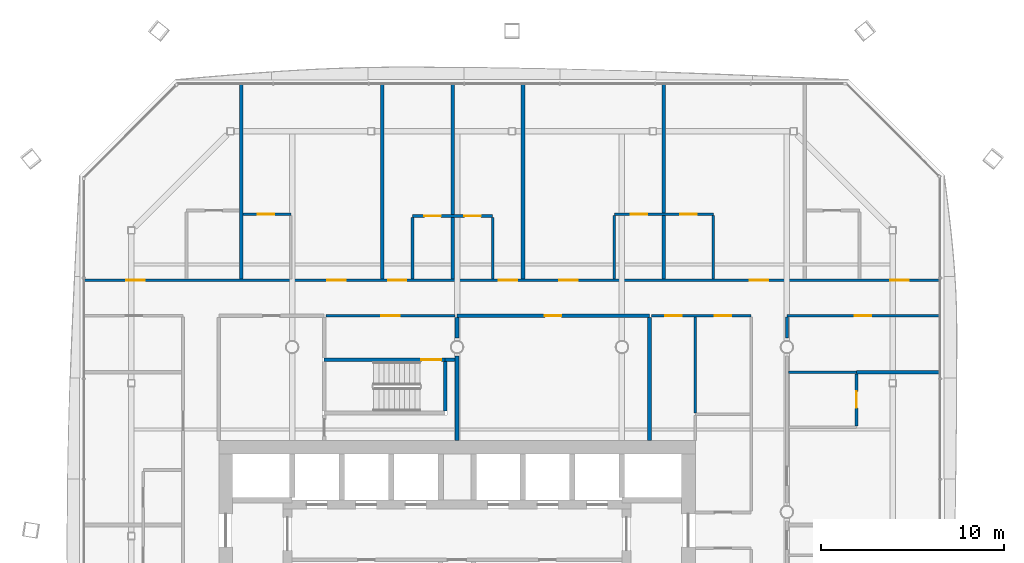
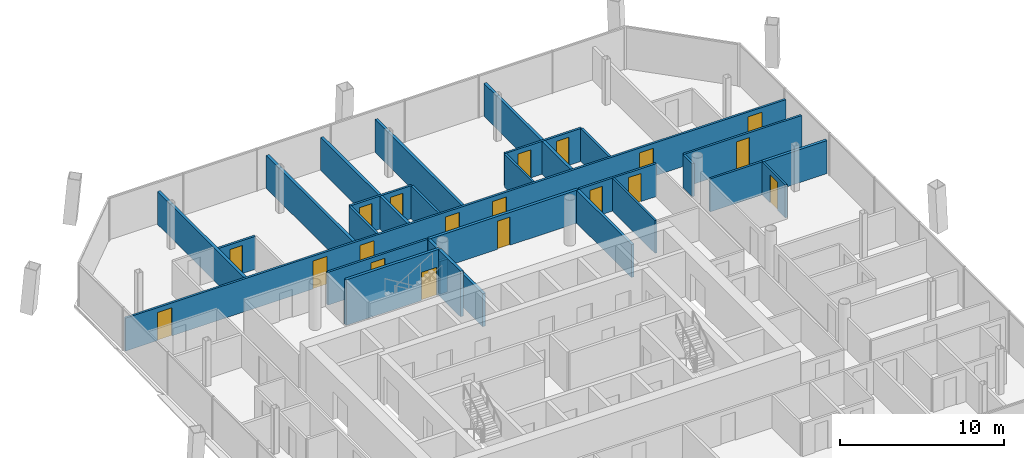
# One storey, part 16 of 22: 28 walls, 19 doors, 19 openings.
"""IFC4 building model written with IfcOpenShell, lengths in metres."""

from ifc_helpers import new_model, si_unit, direction, frame, frame_2d, origin, place, context, subcontext, project, spatial, rectangle, extrude, material, layer, layer_set, type_object, element, fill, save


model = new_model("IFC4")

# Units and contexts
model_context = context("Model", 3, precision=1e-05, world=origin(), true_north=direction((0.0, 1.0)))
body_context = subcontext(model_context, "Body", "Model", "MODEL_VIEW")
ifc_project = project(units=[si_unit("LENGTHUNIT", "METRE"), si_unit("AREAUNIT", "SQUARE_METRE"), si_unit("VOLUMEUNIT", "CUBIC_METRE"), si_unit("PLANEANGLEUNIT", "RADIAN"), si_unit("MASSUNIT", "GRAM", prefix="KILO")], contexts=[model_context])

# Site, building, storey
site_placement = place(None, origin())
site = spatial("IfcSite", under=ifc_project, at=site_placement, CompositionType="ELEMENT")
building_placement = place(site_placement, origin())
building = spatial("IfcBuilding", under=site, at=building_placement, Name="Tskaro Facet Tower", CompositionType="ELEMENT")
storey_placement = place(building_placement, frame((0.0, 0.0, 124.89990234375)))
storey = spatial("IfcBuildingStorey", under=building, at=storey_placement, Name="L29", CompositionType="ELEMENT", Elevation=124.89990234375)

# Walls
ifc_material_1 = material(Name="Gypsum board on steel studs", Category="steel")
ifc_layer_1 = layer(ifc_material_1, 0.125, Name="Gypsum board on steel studs")
ifc_layer_set_1 = layer_set([ifc_layer_1], Name="Gypsum board on steel studs")
wall_type_1 = type_object("IfcWallType", Name="PART", PredefinedType="PARTITIONING", material=ifc_layer_set_1)
wall_1_placement = place(storey_placement, frame((13.0, 5.412109375, 0.0), z_axis=(0.0, 0.0, 1.0), x_axis=(0.0, 1.0, 0.0)))
element("IfcWall", 1, at=wall_1_placement, inside=storey, type_object=wall_type_1, Name="Partition W101", PredefinedType="PARTITIONING", context=body_context, shape_type="SweptSolid", body=[
    extrude(rectangle(XDim=5.212890625, YDim=0.125, at=frame_2d((2.6064453125, 0.0))), origin(), (0.0, 0.0, 1.0), 2.460205078125),
])
ifc_layer_2 = layer(ifc_material_1, 0.14990234375, Name="Gypsum board on steel studs")
ifc_layer_set_2 = layer_set([ifc_layer_2], Name="Gypsum board on steel studs")
wall_type_2 = type_object("IfcWallType", Name="PART-CORR", PredefinedType="PARTITIONING", material=ifc_layer_set_2)
wall_2_placement = place(storey_placement, frame((18.074951171875, 7.6259765625, 0.0), z_axis=(0.0, 0.0, 1.0), x_axis=(1.0, 0.0, 0.0)))
element("IfcWall", 2, at=wall_2_placement, inside=storey, type_object=wall_type_2, Name="Corridor wall W039", PredefinedType="PARTITIONING", context=body_context, shape_type="SweptSolid", body=[
    extrude(rectangle(XDim=3.72509765625, YDim=0.14990234375, at=frame_2d((1.862548828125, 0.0))), origin(), (0.0, 0.0, 1.0), 2.460205078125),
])

# Wall, opening, door
wall_3_placement = place(storey_placement, frame((-0.10009765625, 10.699951171875, 0.0), z_axis=(0.0, 0.0, 1.0), x_axis=(-1.0, 0.0, 0.0)))
wall_3 = element("IfcWall", 3, at=wall_3_placement, inside=storey, type_object=wall_type_2, Name="Corridor wall W045", PredefinedType="PARTITIONING", context=body_context, shape_type="SweptSolid", body=[
    extrude(rectangle(XDim=7.0498046875, YDim=0.14990234375, at=frame_2d((3.52490234375, 0.0))), origin(), (0.0, 0.0, 1.0), 2.460205078125),
])
opening_1_placement = place(wall_3_placement, frame((3.02490234375, 0.0, 0.0)))
opening_1 = element("IfcOpeningElement", 4, at=opening_1_placement, cuts=wall_3, Name="Opening T8-D45", PredefinedType="OPENING", context=body_context, shape_type="SweptSolid", body=[
    extrude(rectangle(XDim=1.0, YDim=2.10009765625, at=frame_2d((0.5, 1.050048828125))), frame((0.0, 0.0849609375, 0.0), z_axis=(0.0, -1.0, 0.0), x_axis=(1.0, 0.0, 0.0)), (0.0, 0.0, 1.0), 0.169921875),
])
ifc_material_2 = material(Name="Steel", Category="steel")
door_type_1 = type_object("IfcDoorType", Name="D-LOBBY", OperationType="NOTDEFINED", PredefinedType="DOOR", material=ifc_material_2)
door_1_placement = place(opening_1_placement, origin())
door_1 = element("IfcDoor", 5, at=door_1_placement, inside=storey, type_object=door_type_1, Name="Stair lobby door", OperationType="SINGLE_SWING_RIGHT", OverallHeight=2.10009765625, OverallWidth=1.0, PredefinedType="DOOR", context=body_context, shape_type="SweptSolid", body=[
    extrude(rectangle(XDim=1.0, YDim=2.10009765625, at=frame_2d((0.5, 1.050048828125))), frame((0.0, 0.02490234375, 0.0), z_axis=(0.0, -1.0, 0.0), x_axis=(1.0, 0.0, 0.0)), (0.0, 0.0, 1.0), 0.050048828125),
])
fill(opening_1, door_1)

# Wall, openings, doors
wall_4_placement = place(storey_placement, frame((16.050048828125, 10.699951171875, 0.0), z_axis=(0.0, 0.0, 1.0), x_axis=(-1.0, 0.0, 0.0)))
wall_4 = element("IfcWall", 6, at=wall_4_placement, inside=storey, type_object=wall_type_2, Name="Corridor wall W047", PredefinedType="PARTITIONING", context=body_context, shape_type="SweptSolid", body=[
    extrude(rectangle(XDim=5.449951171875, YDim=0.14990234375, at=frame_2d((2.72509765625, 0.0))), origin(), (0.0, 0.0, 1.0), 2.460205078125),
])
opening_2_placement = place(wall_4_placement, frame((3.800048828125, 0.0, 0.0)))
opening_2 = element("IfcOpeningElement", 7, at=opening_2_placement, cuts=wall_4, Name="Opening T8-D47", PredefinedType="OPENING", context=body_context, shape_type="SweptSolid", body=[
    extrude(rectangle(XDim=0.89990234375, YDim=2.10009765625, at=frame_2d((0.449951171875, 1.050048828125))), frame((0.0, 0.0849609375, 0.0), z_axis=(0.0, -1.0, 0.0), x_axis=(1.0, 0.0, 0.0)), (0.0, 0.0, 1.0), 0.169921875),
])
opening_3_placement = place(wall_4_placement, frame((1.074951171875, 0.0, 0.0)))
opening_3 = element("IfcOpeningElement", 8, at=opening_3_placement, cuts=wall_4, Name="Opening T8-D48", PredefinedType="OPENING", context=body_context, shape_type="SweptSolid", body=[
    extrude(rectangle(XDim=0.89990234375, YDim=2.10009765625, at=frame_2d((0.449951171875, 1.050048828125))), frame((0.0, 0.0849609375, 0.0), z_axis=(0.0, -1.0, 0.0), x_axis=(1.0, 0.0, 0.0)), (0.0, 0.0, 1.0), 0.169921875),
])
ifc_material_3 = material(Name="Timber", Category="wood")
door_type_2 = type_object("IfcDoorType", Name="D-ROOM", OperationType="NOTDEFINED", PredefinedType="DOOR", material=ifc_material_3)
door_2_placement = place(opening_2_placement, origin())
door_2 = element("IfcDoor", 9, at=door_2_placement, inside=storey, type_object=door_type_2, Name="Door T8-D47", OperationType="SINGLE_SWING_RIGHT", OverallHeight=2.10009765625, OverallWidth=0.89990234375, PredefinedType="DOOR", context=body_context, shape_type="SweptSolid", body=[
    extrude(rectangle(XDim=0.89990234375, YDim=2.10009765625, at=frame_2d((0.449951171875, 1.050048828125))), frame((0.0, 0.02490234375, 0.0), z_axis=(0.0, -1.0, 0.0), x_axis=(1.0, 0.0, 0.0)), (0.0, 0.0, 1.0), 0.050048828125),
])
fill(opening_2, door_2)
door_3_placement = place(opening_3_placement, origin())
door_3 = element("IfcDoor", 10, at=door_3_placement, inside=storey, type_object=door_type_2, Name="Door T8-D48", OperationType="SINGLE_SWING_RIGHT", OverallHeight=2.10009765625, OverallWidth=0.89990234375, PredefinedType="DOOR", context=body_context, shape_type="SweptSolid", body=[
    extrude(rectangle(XDim=0.89990234375, YDim=2.10009765625, at=frame_2d((0.449951171875, 1.050048828125))), frame((0.0, 0.02490234375, 0.0), z_axis=(0.0, -1.0, 0.0), x_axis=(1.0, 0.0, 0.0)), (0.0, 0.0, 1.0), 0.050048828125),
])
fill(opening_3, door_3)

# Wall, opening, door
wall_5_placement = place(storey_placement, frame((26.31689453125, 10.699951171875, 0.0), z_axis=(0.0, 0.0, 1.0), x_axis=(-1.0, 0.0, 0.0)))
wall_5 = element("IfcWall", 11, at=wall_5_placement, inside=storey, type_object=wall_type_2, Name="Corridor wall W048", PredefinedType="PARTITIONING", context=body_context, shape_type="SweptSolid", body=[
    extrude(rectangle(XDim=8.31689453125, YDim=0.14990234375, at=frame_2d((4.158447265625, 0.0))), origin(), (0.0, 0.0, 1.0), 2.460205078125),
])
opening_4_placement = place(wall_5_placement, frame((3.70849609375, 0.0, 0.0)))
opening_4 = element("IfcOpeningElement", 12, at=opening_4_placement, cuts=wall_5, Name="Opening T8-D49", PredefinedType="OPENING", context=body_context, shape_type="SweptSolid", body=[
    extrude(rectangle(XDim=0.89990234375, YDim=2.10009765625, at=frame_2d((0.449951171875, 1.050048828125))), frame((0.0, 0.0849609375, 0.0), z_axis=(0.0, -1.0, 0.0), x_axis=(1.0, 0.0, 0.0)), (0.0, 0.0, 1.0), 0.169921875),
])
door_4_placement = place(opening_4_placement, origin())
door_4 = element("IfcDoor", 13, at=door_4_placement, inside=storey, type_object=door_type_2, Name="Door T8-D49", OperationType="SINGLE_SWING_RIGHT", OverallHeight=2.10009765625, OverallWidth=0.89990234375, PredefinedType="DOOR", context=body_context, shape_type="SweptSolid", body=[
    extrude(rectangle(XDim=0.89990234375, YDim=2.10009765625, at=frame_2d((0.449951171875, 1.050048828125))), frame((0.0, 0.02490234375, 0.0), z_axis=(0.0, -1.0, 0.0), x_axis=(1.0, 0.0, 0.0)), (0.0, 0.0, 1.0), 0.050048828125),
])
fill(opening_4, door_4)

# Wall, openings, doors
wall_6_placement = place(storey_placement, frame((-20.31689453125, 12.64990234375, 0.0), z_axis=(0.0, 0.0, 1.0), x_axis=(1.0, 0.0, 0.0)))
wall_6 = element("IfcWall", 14, at=wall_6_placement, inside=storey, type_object=wall_type_2, Name="Corridor wall W049", PredefinedType="PARTITIONING", context=body_context, shape_type="SweptSolid", body=[
    extrude(rectangle(XDim=46.6337890625, YDim=0.14990234375, at=frame_2d((23.31689453125, 0.0))), origin(), (0.0, 0.0, 1.0), 2.460205078125),
])
opening_5_placement = place(wall_6_placement, frame((2.2744140625, 0.0, 0.0)))
opening_5 = element("IfcOpeningElement", 15, at=opening_5_placement, cuts=wall_6, Name="Opening T8-D50", PredefinedType="OPENING", context=body_context, shape_type="SweptSolid", body=[
    extrude(rectangle(XDim=1.0, YDim=2.10009765625, at=frame_2d((0.5, 1.050048828125))), frame((0.0, 0.0849609375, 0.0), z_axis=(0.0, -1.0, 0.0), x_axis=(1.0, 0.0, 0.0)), (0.0, 0.0, 1.0), 0.169921875),
])
opening_6_placement = place(wall_6_placement, frame((13.240966796875, 0.0, 0.0)))
opening_6 = element("IfcOpeningElement", 16, at=opening_6_placement, cuts=wall_6, Name="Opening T8-D51", PredefinedType="OPENING", context=body_context, shape_type="SweptSolid", body=[
    extrude(rectangle(XDim=1.0, YDim=2.10009765625, at=frame_2d((0.5, 1.050048828125))), frame((0.0, 0.0849609375, 0.0), z_axis=(0.0, -1.0, 0.0), x_axis=(1.0, 0.0, 0.0)), (0.0, 0.0, 1.0), 0.169921875),
])
opening_7_placement = place(wall_6_placement, frame((16.55908203125, 0.0, 0.0)))
opening_7 = element("IfcOpeningElement", 17, at=opening_7_placement, cuts=wall_6, Name="Opening T8-D52", PredefinedType="OPENING", context=body_context, shape_type="SweptSolid", body=[
    extrude(rectangle(XDim=1.0, YDim=2.10009765625, at=frame_2d((0.5, 1.050048828125))), frame((0.0, 0.0849609375, 0.0), z_axis=(0.0, -1.0, 0.0), x_axis=(1.0, 0.0, 0.0)), (0.0, 0.0, 1.0), 0.169921875),
])
opening_8_placement = place(wall_6_placement, frame((22.591064453125, 0.0, 0.0)))
opening_8 = element("IfcOpeningElement", 18, at=opening_8_placement, cuts=wall_6, Name="Opening T8-D53", PredefinedType="OPENING", context=body_context, shape_type="SweptSolid", body=[
    extrude(rectangle(XDim=1.0, YDim=2.10009765625, at=frame_2d((0.5, 1.050048828125))), frame((0.0, 0.0849609375, 0.0), z_axis=(0.0, -1.0, 0.0), x_axis=(1.0, 0.0, 0.0)), (0.0, 0.0, 1.0), 0.169921875),
])
opening_9_placement = place(wall_6_placement, frame((25.908935546875, 0.0, 0.0)))
opening_9 = element("IfcOpeningElement", 19, at=opening_9_placement, cuts=wall_6, Name="Opening T8-D54", PredefinedType="OPENING", context=body_context, shape_type="SweptSolid", body=[
    extrude(rectangle(XDim=1.0, YDim=2.10009765625, at=frame_2d((0.5, 1.050048828125))), frame((0.0, 0.0849609375, 0.0), z_axis=(0.0, -1.0, 0.0), x_axis=(1.0, 0.0, 0.0)), (0.0, 0.0, 1.0), 0.169921875),
])
opening_10_placement = place(wall_6_placement, frame((36.29296875, 0.0, 0.0)))
opening_10 = element("IfcOpeningElement", 20, at=opening_10_placement, cuts=wall_6, Name="Opening T8-D55", PredefinedType="OPENING", context=body_context, shape_type="SweptSolid", body=[
    extrude(rectangle(XDim=1.0, YDim=2.10009765625, at=frame_2d((0.5, 1.050048828125))), frame((0.0, 0.0849609375, 0.0), z_axis=(0.0, -1.0, 0.0), x_axis=(1.0, 0.0, 0.0)), (0.0, 0.0, 1.0), 0.169921875),
])
opening_11_placement = place(wall_6_placement, frame((43.95947265625, 0.0, 0.0)))
opening_11 = element("IfcOpeningElement", 21, at=opening_11_placement, cuts=wall_6, Name="Opening T8-D56", PredefinedType="OPENING", context=body_context, shape_type="SweptSolid", body=[
    extrude(rectangle(XDim=1.0, YDim=2.10009765625, at=frame_2d((0.5, 1.050048828125))), frame((0.0, 0.0849609375, 0.0), z_axis=(0.0, -1.0, 0.0), x_axis=(1.0, 0.0, 0.0)), (0.0, 0.0, 1.0), 0.169921875),
])
door_type_3 = type_object("IfcDoorType", Name="D-ENTRY", OperationType="NOTDEFINED", PredefinedType="DOOR", material=ifc_material_3)
door_5_placement = place(opening_5_placement, origin())
door_5 = element("IfcDoor", 22, at=door_5_placement, inside=storey, type_object=door_type_3, Name="Door T8-D50", OperationType="SINGLE_SWING_RIGHT", OverallHeight=2.10009765625, OverallWidth=1.0, PredefinedType="DOOR", context=body_context, shape_type="SweptSolid", body=[
    extrude(rectangle(XDim=1.0, YDim=2.10009765625, at=frame_2d((0.5, 1.050048828125))), frame((0.0, 0.02490234375, 0.0), z_axis=(0.0, -1.0, 0.0), x_axis=(1.0, 0.0, 0.0)), (0.0, 0.0, 1.0), 0.050048828125),
])
fill(opening_5, door_5)
door_6_placement = place(opening_6_placement, origin())
door_6 = element("IfcDoor", 23, at=door_6_placement, inside=storey, type_object=door_type_3, Name="Door T8-D51", OperationType="SINGLE_SWING_LEFT", OverallHeight=2.10009765625, OverallWidth=1.0, PredefinedType="DOOR", context=body_context, shape_type="SweptSolid", body=[
    extrude(rectangle(XDim=1.0, YDim=2.10009765625, at=frame_2d((0.5, 1.050048828125))), frame((0.0, 0.02490234375, 0.0), z_axis=(0.0, -1.0, 0.0), x_axis=(1.0, 0.0, 0.0)), (0.0, 0.0, 1.0), 0.050048828125),
])
fill(opening_6, door_6)
door_7_placement = place(opening_7_placement, origin())
door_7 = element("IfcDoor", 24, at=door_7_placement, inside=storey, type_object=door_type_3, Name="Door T8-D52", OperationType="SINGLE_SWING_LEFT", OverallHeight=2.10009765625, OverallWidth=1.0, PredefinedType="DOOR", context=body_context, shape_type="SweptSolid", body=[
    extrude(rectangle(XDim=1.0, YDim=2.10009765625, at=frame_2d((0.5, 1.050048828125))), frame((0.0, 0.02490234375, 0.0), z_axis=(0.0, -1.0, 0.0), x_axis=(1.0, 0.0, 0.0)), (0.0, 0.0, 1.0), 0.050048828125),
])
fill(opening_7, door_7)
door_8_placement = place(opening_8_placement, origin())
door_8 = element("IfcDoor", 25, at=door_8_placement, inside=storey, type_object=door_type_3, Name="Door T8-D53", OperationType="SINGLE_SWING_RIGHT", OverallHeight=2.10009765625, OverallWidth=1.0, PredefinedType="DOOR", context=body_context, shape_type="SweptSolid", body=[
    extrude(rectangle(XDim=1.0, YDim=2.10009765625, at=frame_2d((0.5, 1.050048828125))), frame((0.0, 0.02490234375, 0.0), z_axis=(0.0, -1.0, 0.0), x_axis=(1.0, 0.0, 0.0)), (0.0, 0.0, 1.0), 0.050048828125),
])
fill(opening_8, door_8)
door_9_placement = place(opening_9_placement, origin())
door_9 = element("IfcDoor", 26, at=door_9_placement, inside=storey, type_object=door_type_3, Name="Door T8-D54", OperationType="SINGLE_SWING_RIGHT", OverallHeight=2.10009765625, OverallWidth=1.0, PredefinedType="DOOR", context=body_context, shape_type="SweptSolid", body=[
    extrude(rectangle(XDim=1.0, YDim=2.10009765625, at=frame_2d((0.5, 1.050048828125))), frame((0.0, 0.02490234375, 0.0), z_axis=(0.0, -1.0, 0.0), x_axis=(1.0, 0.0, 0.0)), (0.0, 0.0, 1.0), 0.050048828125),
])
fill(opening_9, door_9)
door_10_placement = place(opening_10_placement, origin())
door_10 = element("IfcDoor", 27, at=door_10_placement, inside=storey, type_object=door_type_3, Name="Door T8-D55", OperationType="SINGLE_SWING_LEFT", OverallHeight=2.10009765625, OverallWidth=1.0, PredefinedType="DOOR", context=body_context, shape_type="SweptSolid", body=[
    extrude(rectangle(XDim=1.0, YDim=2.10009765625, at=frame_2d((0.5, 1.050048828125))), frame((0.0, 0.02490234375, 0.0), z_axis=(0.0, -1.0, 0.0), x_axis=(1.0, 0.0, 0.0)), (0.0, 0.0, 1.0), 0.050048828125),
])
fill(opening_10, door_10)
door_11_placement = place(opening_11_placement, origin())
door_11 = element("IfcDoor", 28, at=door_11_placement, inside=storey, type_object=door_type_3, Name="Door T8-D56", OperationType="SINGLE_SWING_RIGHT", OverallHeight=2.10009765625, OverallWidth=1.0, PredefinedType="DOOR", context=body_context, shape_type="SweptSolid", body=[
    extrude(rectangle(XDim=1.0, YDim=2.10009765625, at=frame_2d((0.5, 1.050048828125))), frame((0.0, 0.02490234375, 0.0), z_axis=(0.0, -1.0, 0.0), x_axis=(1.0, 0.0, 0.0)), (0.0, 0.0, 1.0), 0.050048828125),
])
fill(opening_11, door_11)

wall_7_placement = place(storey_placement, frame((1.947998046875, 16.14990234375, 0.0), z_axis=(0.0, 0.0, 1.0), x_axis=(-1.0, 0.0, 0.0)))
wall_7 = element("IfcWall", 29, at=wall_7_placement, inside=storey, type_object=wall_type_2, Name="Corridor wall W050", PredefinedType="PARTITIONING", context=body_context, shape_type="SweptSolid", body=[
    extrude(rectangle(XDim=4.3798828125, YDim=0.14990234375, at=frame_2d((2.18994140625, 0.0))), origin(), (0.0, 0.0, 1.0), 2.460205078125),
])
opening_12_placement = place(wall_7_placement, frame((2.8349609375, 0.0, 0.0)))
opening_12 = element("IfcOpeningElement", 30, at=opening_12_placement, cuts=wall_7, Name="Opening T8-D57", PredefinedType="OPENING", context=body_context, shape_type="SweptSolid", body=[
    extrude(rectangle(XDim=0.89990234375, YDim=2.10009765625, at=frame_2d((0.449951171875, 1.050048828125))), frame((0.0, 0.0849609375, 0.0), z_axis=(0.0, -1.0, 0.0), x_axis=(1.0, 0.0, 0.0)), (0.0, 0.0, 1.0), 0.169921875),
])
opening_13_placement = place(wall_7_placement, frame((0.64501953125, 0.0, 0.0)))
opening_13 = element("IfcOpeningElement", 31, at=opening_13_placement, cuts=wall_7, Name="Opening T8-D58", PredefinedType="OPENING", context=body_context, shape_type="SweptSolid", body=[
    extrude(rectangle(XDim=0.89990234375, YDim=2.10009765625, at=frame_2d((0.449951171875, 1.050048828125))), frame((0.0, 0.0849609375, 0.0), z_axis=(0.0, -1.0, 0.0), x_axis=(1.0, 0.0, 0.0)), (0.0, 0.0, 1.0), 0.169921875),
])
door_12_placement = place(opening_12_placement, origin())
door_12 = element("IfcDoor", 32, at=door_12_placement, inside=storey, type_object=door_type_2, Name="Door T8-D57", OperationType="SINGLE_SWING_RIGHT", OverallHeight=2.10009765625, OverallWidth=0.89990234375, PredefinedType="DOOR", context=body_context, shape_type="SweptSolid", body=[
    extrude(rectangle(XDim=0.89990234375, YDim=2.10009765625, at=frame_2d((0.449951171875, 1.050048828125))), frame((0.0, 0.02490234375, 0.0), z_axis=(0.0, -1.0, 0.0), x_axis=(1.0, 0.0, 0.0)), (0.0, 0.0, 1.0), 0.050048828125),
])
fill(opening_12, door_12)
door_13_placement = place(opening_13_placement, origin())
door_13 = element("IfcDoor", 33, at=door_13_placement, inside=storey, type_object=door_type_2, Name="Door T8-D58", OperationType="SINGLE_SWING_RIGHT", OverallHeight=2.10009765625, OverallWidth=0.89990234375, PredefinedType="DOOR", context=body_context, shape_type="SweptSolid", body=[
    extrude(rectangle(XDim=0.89990234375, YDim=2.10009765625, at=frame_2d((0.449951171875, 1.050048828125))), frame((0.0, 0.02490234375, 0.0), z_axis=(0.0, -1.0, 0.0), x_axis=(1.0, 0.0, 0.0)), (0.0, 0.0, 1.0), 0.050048828125),
])
fill(opening_13, door_13)

# Wall, opening, door
wall_8_placement = place(storey_placement, frame((-9.068115234375, 16.25, 0.0), z_axis=(0.0, 0.0, 1.0), x_axis=(-1.0, 0.0, 0.0)))
wall_8 = element("IfcWall", 34, at=wall_8_placement, inside=storey, type_object=wall_type_2, Name="Corridor wall W051", PredefinedType="PARTITIONING", context=body_context, shape_type="SweptSolid", body=[
    extrude(rectangle(XDim=2.599853515625, YDim=0.14990234375, at=frame_2d((1.2998046875, 0.0))), origin(), (0.0, 0.0, 1.0), 2.460205078125),
])
opening_14_placement = place(wall_8_placement, frame((0.89990234375, 0.0, 0.0)))
opening_14 = element("IfcOpeningElement", 35, at=opening_14_placement, cuts=wall_8, Name="Opening T8-D59", PredefinedType="OPENING", context=body_context, shape_type="SweptSolid", body=[
    extrude(rectangle(XDim=0.89990234375, YDim=2.10009765625, at=frame_2d((0.449951171875, 1.050048828125))), frame((0.0, 0.0849609375, 0.0), z_axis=(0.0, -1.0, 0.0), x_axis=(1.0, 0.0, 0.0)), (0.0, 0.0, 1.0), 0.169921875),
])
door_14_placement = place(opening_14_placement, origin())
door_14 = element("IfcDoor", 36, at=door_14_placement, inside=storey, type_object=door_type_2, Name="Door T8-D59", OperationType="SINGLE_SWING_RIGHT", OverallHeight=2.10009765625, OverallWidth=0.89990234375, PredefinedType="DOOR", context=body_context, shape_type="SweptSolid", body=[
    extrude(rectangle(XDim=0.89990234375, YDim=2.10009765625, at=frame_2d((0.449951171875, 1.050048828125))), frame((0.0, 0.02490234375, 0.0), z_axis=(0.0, -1.0, 0.0), x_axis=(1.0, 0.0, 0.0)), (0.0, 0.0, 1.0), 0.050048828125),
])
fill(opening_14, door_14)

# Wall, openings, doors
wall_9_placement = place(storey_placement, frame((13.98388671875, 16.25, 0.0), z_axis=(0.0, 0.0, 1.0), x_axis=(-1.0, 0.0, 0.0)))
wall_9 = element("IfcWall", 37, at=wall_9_placement, inside=storey, type_object=wall_type_2, Name="Corridor wall W052", PredefinedType="PARTITIONING", context=body_context, shape_type="SweptSolid", body=[
    extrude(rectangle(XDim=5.39990234375, YDim=0.14990234375, at=frame_2d((2.699951171875, 0.0))), origin(), (0.0, 0.0, 1.0), 2.460205078125),
])
opening_15_placement = place(wall_9_placement, frame((3.60009765625, 0.0, 0.0)))
opening_15 = element("IfcOpeningElement", 38, at=opening_15_placement, cuts=wall_9, Name="Opening T8-D60", PredefinedType="OPENING", context=body_context, shape_type="SweptSolid", body=[
    extrude(rectangle(XDim=0.89990234375, YDim=2.10009765625, at=frame_2d((0.449951171875, 1.050048828125))), frame((0.0, 0.0849609375, 0.0), z_axis=(0.0, -1.0, 0.0), x_axis=(1.0, 0.0, 0.0)), (0.0, 0.0, 1.0), 0.169921875),
])
opening_16_placement = place(wall_9_placement, frame((0.89990234375, 0.0, 0.0)))
opening_16 = element("IfcOpeningElement", 39, at=opening_16_placement, cuts=wall_9, Name="Opening T8-D61", PredefinedType="OPENING", context=body_context, shape_type="SweptSolid", body=[
    extrude(rectangle(XDim=0.89990234375, YDim=2.10009765625, at=frame_2d((0.449951171875, 1.050048828125))), frame((0.0, 0.0849609375, 0.0), z_axis=(0.0, -1.0, 0.0), x_axis=(1.0, 0.0, 0.0)), (0.0, 0.0, 1.0), 0.169921875),
])
door_15_placement = place(opening_15_placement, origin())
door_15 = element("IfcDoor", 40, at=door_15_placement, inside=storey, type_object=door_type_2, Name="Door T8-D60", OperationType="SINGLE_SWING_RIGHT", OverallHeight=2.10009765625, OverallWidth=0.89990234375, PredefinedType="DOOR", context=body_context, shape_type="SweptSolid", body=[
    extrude(rectangle(XDim=0.89990234375, YDim=2.10009765625, at=frame_2d((0.449951171875, 1.050048828125))), frame((0.0, 0.02490234375, 0.0), z_axis=(0.0, -1.0, 0.0), x_axis=(1.0, 0.0, 0.0)), (0.0, 0.0, 1.0), 0.050048828125),
])
fill(opening_15, door_15)
door_16_placement = place(opening_16_placement, origin())
door_16 = element("IfcDoor", 41, at=door_16_placement, inside=storey, type_object=door_type_2, Name="Door T8-D61", OperationType="SINGLE_SWING_RIGHT", OverallHeight=2.10009765625, OverallWidth=0.89990234375, PredefinedType="DOOR", context=body_context, shape_type="SweptSolid", body=[
    extrude(rectangle(XDim=0.89990234375, YDim=2.10009765625, at=frame_2d((0.449951171875, 1.050048828125))), frame((0.0, 0.02490234375, 0.0), z_axis=(0.0, -1.0, 0.0), x_axis=(1.0, 0.0, 0.0)), (0.0, 0.0, 1.0), 0.050048828125),
])
fill(opening_16, door_16)

# Walls
for number, where, z_axis, x_axis, name in (
    (42, (-2.431884765625, 12.72509765625, 0.0), (0.0, 0.0, 1.0), (0.0, 1.0, 0.0), "Corridor wall W077"),
    (43, (1.947998046875, 12.72509765625, 0.0), (0.0, 0.0, 1.0), (0.0, 1.0, 0.0), "Corridor wall W087"),
):
    element("IfcWall", number, at=place(storey_placement, frame(where, z_axis=z_axis, x_axis=x_axis)), inside=storey, type_object=wall_type_2, Name=name, PredefinedType="PARTITIONING", context=body_context, shape_type="SweptSolid", body=[
        extrude(rectangle(XDim=3.349853515625, YDim=0.14990234375, at=frame_2d((1.6748046875, 0.0))), origin(), (0.0, 0.0, 1.0), 2.460205078125),
    ])
for number, where, z_axis, x_axis, name in (
    (44, (8.583984375, 12.72509765625, 0.0), (0.0, 0.0, 1.0), (0.0, 1.0, 0.0), "Corridor wall W094"),
    (45, (13.98388671875, 12.72509765625, 0.0), (0.0, 0.0, 1.0), (0.0, 1.0, 0.0), "Corridor wall W102"),
):
    element("IfcWall", number, at=place(storey_placement, frame(where, z_axis=z_axis, x_axis=x_axis)), inside=storey, type_object=wall_type_2, Name=name, PredefinedType="PARTITIONING", context=body_context, shape_type="SweptSolid", body=[
        extrude(rectangle(XDim=3.449951171875, YDim=0.14990234375, at=frame_2d((1.72509765625, 0.0))), origin(), (0.0, 0.0, 1.0), 2.460205078125),
    ])
wall_10_placement = place(storey_placement, frame((18.0, 9.5, 0.0), z_axis=(0.0, 0.0, 1.0), x_axis=(0.0, 1.0, 0.0)))
element("IfcWall", 46, at=wall_10_placement, inside=storey, type_object=wall_type_2, Name="Corridor wall W110", PredefinedType="PARTITIONING", context=body_context, shape_type="SweptSolid", body=[
    extrude(rectangle(XDim=1.125, YDim=0.14990234375, at=frame_2d((0.5625, 0.0))), origin(), (0.0, 0.0, 1.0), 2.460205078125),
])

# Wall, opening, door
wall_11_placement = place(storey_placement, frame((21.800048828125, 4.700927734375, 0.0), z_axis=(0.0, 0.0, 1.0), x_axis=(0.0, 1.0, 0.0)))
wall_11 = element("IfcWall", 47, at=wall_11_placement, inside=storey, type_object=wall_type_2, Name="Corridor wall W115", PredefinedType="PARTITIONING", context=body_context, shape_type="SweptSolid", body=[
    extrude(rectangle(XDim=2.824951171875, YDim=0.14990234375, at=frame_2d((1.41259765625, 0.0))), origin(), (0.0, 0.0, 1.0), 2.460205078125),
])
opening_17_placement = place(wall_11_placement, frame((0.97509765625, 0.0, 0.0)))
opening_17 = element("IfcOpeningElement", 48, at=opening_17_placement, cuts=wall_11, Name="Opening T8-D42", PredefinedType="OPENING", context=body_context, shape_type="SweptSolid", body=[
    extrude(rectangle(XDim=0.89990234375, YDim=2.10009765625, at=frame_2d((0.449951171875, 1.050048828125))), frame((0.0, 0.0849609375, 0.0), z_axis=(0.0, -1.0, 0.0), x_axis=(1.0, 0.0, 0.0)), (0.0, 0.0, 1.0), 0.169921875),
])
door_17_placement = place(opening_17_placement, origin())
door_17 = element("IfcDoor", 49, at=door_17_placement, inside=storey, type_object=door_type_2, Name="Door T8-D42", OperationType="SINGLE_SWING_LEFT", OverallHeight=2.10009765625, OverallWidth=0.89990234375, PredefinedType="DOOR", context=body_context, shape_type="SweptSolid", body=[
    extrude(rectangle(XDim=0.89990234375, YDim=2.10009765625, at=frame_2d((0.449951171875, 1.050048828125))), frame((0.0, 0.02490234375, 0.0), z_axis=(0.0, -1.0, 0.0), x_axis=(1.0, 0.0, 0.0)), (0.0, 0.0, 1.0), 0.050048828125),
])
fill(opening_17, door_17)

# Walls
ifc_layer_3 = layer(ifc_material_1, 0.199951171875, Name="Gypsum board on steel studs")
ifc_layer_set_3 = layer_set([ifc_layer_3], Name="Gypsum board on steel studs")
wall_type_3 = type_object("IfcWallType", Name="PART-DEMISING", PredefinedType="PARTITIONING", material=ifc_layer_set_3)
wall_12_placement = place(storey_placement, frame((21.800048828125, 7.6259765625, 0.0), z_axis=(0.0, 0.0, 1.0), x_axis=(1.0, 0.0, 0.0)))
element("IfcWall", 50, at=wall_12_placement, inside=storey, type_object=wall_type_3, Name="Guest room wall W040", PredefinedType="PARTITIONING", context=body_context, shape_type="SweptSolid", body=[
    extrude(rectangle(XDim=4.516845703125, YDim=0.199951171875, at=frame_2d((2.25830078125, 0.0))), origin(), (0.0, 0.0, 1.0), 2.460205078125),
])
for number, where, z_axis, x_axis, name in (
    (51, (-11.76806640625, 12.72509765625, 0.0), (0.0, 0.0, 1.0), (0.0, 1.0, 0.0), "Guest room wall W062"),
    (52, (-4.083984375, 12.72509765625, 0.0), (0.0, 0.0, 1.0), (0.0, 1.0, 0.0), "Guest room wall W073"),
    (53, (-0.241943359375, 12.72509765625, 0.0), (0.0, 0.0, 1.0), (0.0, 1.0, 0.0), "Guest room wall W081"),
    (54, (3.60009765625, 12.72509765625, 0.0), (0.0, 0.0, 1.0), (0.0, 1.0, 0.0), "Guest room wall W091"),
    (55, (11.283935546875, 12.72509765625, 0.0), (0.0, 0.0, 1.0), (0.0, 1.0, 0.0), "Guest room wall W098"),
):
    element("IfcWall", number, at=place(storey_placement, frame(where, z_axis=z_axis, x_axis=x_axis)), inside=storey, type_object=wall_type_3, Name=name, PredefinedType="PARTITIONING", context=body_context, shape_type="SweptSolid", body=[
        extrude(rectangle(XDim=10.591796875, YDim=0.199951171875, at=frame_2d((5.2958984375, 0.0))), origin(), (0.0, 0.0, 1.0), 2.460205078125),
    ])

# Wall, opening, door
ifc_material_4 = material(Name="Concrete C60/75", Category="concrete")
ifc_layer_4 = layer(ifc_material_4, 0.199951171875, Name="Concrete C60/75")
ifc_layer_set_4 = layer_set([ifc_layer_4], Name="Concrete C60/75")
wall_type_4 = type_object("IfcWallType", Name="STAIR-WALL", PredefinedType="SHEAR", material=ifc_layer_set_4)
wall_13_placement = place(storey_placement, frame((-0.64990234375, 8.300048828125, 0.0), z_axis=(0.0, 0.0, 1.0), x_axis=(-1.0, 0.0, 0.0)))
wall_13 = element("IfcWall", 56, at=wall_13_placement, inside=storey, type_object=wall_type_4, Name="Stair wall W041", PredefinedType="SHEAR", context=body_context, shape_type="SweptSolid", body=[
    extrude(rectangle(XDim=6.60009765625, YDim=0.199951171875, at=frame_2d((3.300048828125, 0.0))), origin(), (0.0, 0.0, 1.0), 3.400146484375),
])
opening_18_placement = place(wall_13_placement, frame((0.199951171875, 0.0, 0.0)))
opening_18 = element("IfcOpeningElement", 57, at=opening_18_placement, cuts=wall_13, Name="Opening ST-3-D1", PredefinedType="OPENING", context=body_context, shape_type="SweptSolid", body=[
    extrude(rectangle(XDim=1.10009765625, YDim=2.10009765625, at=frame_2d((0.550048828125, 1.050048828125))), frame((0.0, 0.10986328125, 0.0), z_axis=(0.0, -1.0, 0.0), x_axis=(1.0, 0.0, 0.0)), (0.0, 0.0, 1.0), 0.219970703125),
])
door_type_4 = type_object("IfcDoorType", Name="D-STAIR", OperationType="NOTDEFINED", PredefinedType="DOOR", material=ifc_material_2)
door_18_placement = place(opening_18_placement, origin())
door_18 = element("IfcDoor", 58, at=door_18_placement, inside=storey, type_object=door_type_4, Name="Stair door 3", OperationType="SINGLE_SWING_RIGHT", OverallHeight=2.10009765625, OverallWidth=1.10009765625, PredefinedType="DOOR", context=body_context, shape_type="SweptSolid", body=[
    extrude(rectangle(XDim=1.10009765625, YDim=2.10009765625, at=frame_2d((0.550048828125, 1.050048828125))), frame((0.0, 0.02490234375, 0.0), z_axis=(0.0, -1.0, 0.0), x_axis=(1.0, 0.0, 0.0)), (0.0, 0.0, 1.0), 0.050048828125),
])
fill(opening_18, door_18)

# Walls
wall_14_placement = place(storey_placement, frame((-0.64990234375, 5.5, 0.0), z_axis=(0.0, 0.0, 1.0), x_axis=(0.0, 1.0, 0.0)))
element("IfcWall", 59, at=wall_14_placement, inside=storey, type_object=wall_type_4, Name="Stair wall W080", PredefinedType="SHEAR", context=body_context, shape_type="SweptSolid", body=[
    extrude(rectangle(XDim=2.699951171875, YDim=0.199951171875, at=frame_2d((1.35009765625, 0.0))), origin(), (0.0, 0.0, 1.0), 3.400146484375),
])
ifc_material_5 = material(Name="Concrete C20/25", Category="concrete")
ifc_layer_5 = layer(ifc_material_5, 0.199951171875, Name="Concrete C20/25")
ifc_layer_set_5 = layer_set([ifc_layer_5], Name="Concrete C20/25")
wall_type_5 = type_object("IfcWallType", Name="WALL-RISER", PredefinedType="SOLIDWALL", material=ifc_layer_set_5)
wall_15_placement = place(storey_placement, frame((-0.64990234375, 8.300048828125, 0.0), z_axis=(0.0, 0.0, 1.0), x_axis=(1.0, 0.0, 0.0)))
element("IfcWall", 60, at=wall_15_placement, inside=storey, type_object=wall_type_5, Name="Riser room wall W042", PredefinedType="SOLIDWALL", context=body_context, shape_type="SweptSolid", body=[
    extrude(rectangle(XDim=0.5498046875, YDim=0.199951171875, at=frame_2d((0.27490234375, 0.0))), origin(), (0.0, 0.0, 1.0), 2.460205078125),
])

# Wall, opening, door
wall_16_placement = place(storey_placement, frame((10.5, 10.699951171875, 0.0), z_axis=(0.0, 0.0, 1.0), x_axis=(-1.0, 0.0, 0.0)))
wall_16 = element("IfcWall", 61, at=wall_16_placement, inside=storey, type_object=wall_type_5, Name="Riser room wall W046", PredefinedType="SOLIDWALL", context=body_context, shape_type="SweptSolid", body=[
    extrude(rectangle(XDim=10.5, YDim=0.199951171875, at=frame_2d((5.25, 0.0))), origin(), (0.0, 0.0, 1.0), 2.460205078125),
])
opening_19_placement = place(wall_16_placement, frame((4.800048828125, 0.0, 0.0)))
opening_19 = element("IfcOpeningElement", 62, at=opening_19_placement, cuts=wall_16, Name="Opening T8-D46", PredefinedType="OPENING", context=body_context, shape_type="SweptSolid", body=[
    extrude(rectangle(XDim=0.89990234375, YDim=2.10009765625, at=frame_2d((0.449951171875, 1.050048828125))), frame((0.0, 0.10986328125, 0.0), z_axis=(0.0, -1.0, 0.0), x_axis=(1.0, 0.0, 0.0)), (0.0, 0.0, 1.0), 0.219970703125),
])
door_type_5 = type_object("IfcDoorType", Name="D-RISER", OperationType="NOTDEFINED", PredefinedType="DOOR", material=ifc_material_2)
door_19_placement = place(opening_19_placement, origin())
door_19 = element("IfcDoor", 63, at=door_19_placement, inside=storey, type_object=door_type_5, Name="Door T8-D46", OperationType="SINGLE_SWING_RIGHT", OverallHeight=2.10009765625, OverallWidth=0.89990234375, PredefinedType="DOOR", context=body_context, shape_type="SweptSolid", body=[
    extrude(rectangle(XDim=0.89990234375, YDim=2.10009765625, at=frame_2d((0.449951171875, 1.050048828125))), frame((0.0, 0.02490234375, 0.0), z_axis=(0.0, -1.0, 0.0), x_axis=(1.0, 0.0, 0.0)), (0.0, 0.0, 1.0), 0.050048828125),
])
fill(opening_19, door_19)

# Walls
wall_17_placement = place(storey_placement, frame((0.0, 3.89990234375, 0.0), z_axis=(0.0, 0.0, 1.0), x_axis=(0.0, 1.0, 0.0)))
element("IfcWall", 64, at=wall_17_placement, inside=storey, type_object=wall_type_5, Name="Riser room wall W083", PredefinedType="SOLIDWALL", context=body_context, shape_type="SweptSolid", body=[
    extrude(rectangle(XDim=4.60009765625, YDim=0.199951171875, at=frame_2d((2.300048828125, 0.0))), origin(), (0.0, 0.0, 1.0), 2.460205078125),
])
wall_18_placement = place(storey_placement, frame((0.0, 9.5, 0.0), z_axis=(0.0, 0.0, 1.0), x_axis=(0.0, 1.0, 0.0)))
element("IfcWall", 65, at=wall_18_placement, inside=storey, type_object=wall_type_5, Name="Riser room wall W084", PredefinedType="SOLIDWALL", context=body_context, shape_type="SweptSolid", body=[
    extrude(rectangle(XDim=1.10009765625, YDim=0.199951171875, at=frame_2d((0.550048828125, 0.0))), origin(), (0.0, 0.0, 1.0), 2.460205078125),
])
wall_19_placement = place(storey_placement, frame((10.5, 3.89990234375, 0.0), z_axis=(0.0, 0.0, 1.0), x_axis=(0.0, 1.0, 0.0)))
element("IfcWall", 66, at=wall_19_placement, inside=storey, type_object=wall_type_5, Name="Riser room wall W097", PredefinedType="SOLIDWALL", context=body_context, shape_type="SweptSolid", body=[
    extrude(rectangle(XDim=6.7001953125, YDim=0.199951171875, at=frame_2d((3.35009765625, 0.0))), origin(), (0.0, 0.0, 1.0), 2.460205078125),
])

save(model, "model.ifc")
